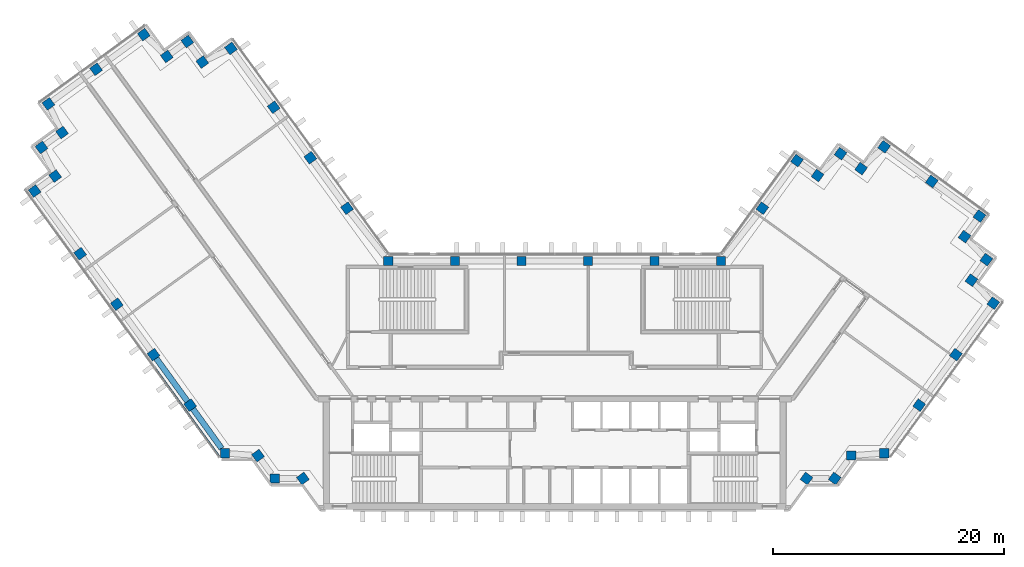
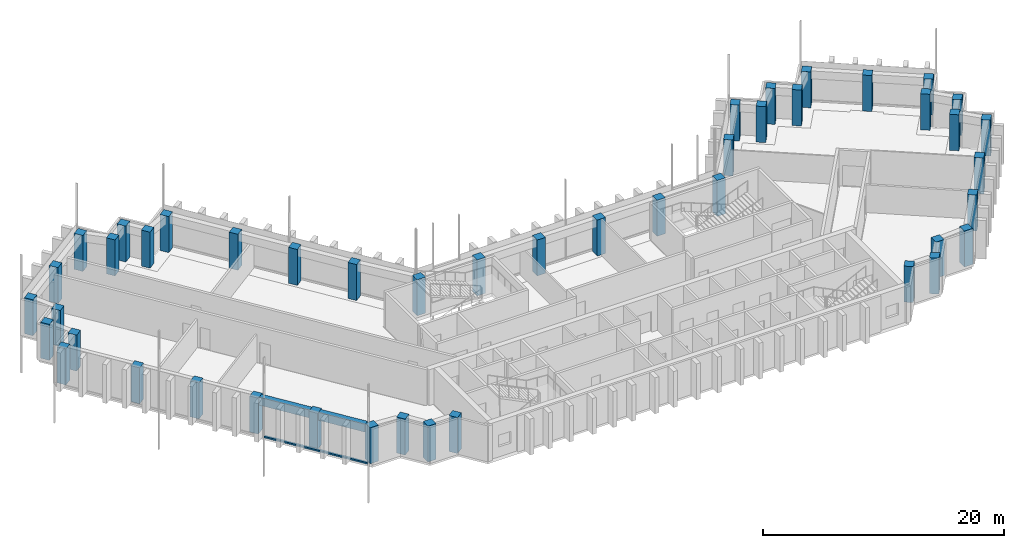
# One storey, part 1 of 12: 46 columns, 2 beams, 1 member, 1 element without a shape of its own.
"""IFC4 building model written with IfcOpenShell, lengths in metres."""

from ifc_helpers import new_model, si_unit, direction, frame, origin, origin_2d, place, context, subcontext, project, spatial, rectangle, extrude, material, material_profile, profile_set, type_object, element, aggregate, save


model = new_model("IFC4")

# Units and contexts
model_context = context("Model", 3, precision=1e-05, world=origin(), true_north=direction((0.0, 1.0)))
body_context = subcontext(model_context, "Body", "Model", "MODEL_VIEW")
ifc_project = project(units=[si_unit("LENGTHUNIT", "METRE"), si_unit("AREAUNIT", "SQUARE_METRE"), si_unit("VOLUMEUNIT", "CUBIC_METRE"), si_unit("PLANEANGLEUNIT", "RADIAN"), si_unit("MASSUNIT", "GRAM", prefix="KILO")], contexts=[model_context])

# Site, building, storey
site_placement = place(None, origin())
site = spatial("IfcSite", under=ifc_project, at=site_placement, CompositionType="ELEMENT")
building_placement = place(site_placement, origin())
building = spatial("IfcBuilding", under=site, at=building_placement, Name="Quipu Civic Tower", CompositionType="ELEMENT")
storey_placement = place(building_placement, frame((0.0, 0.0, 234.0)))
storey = spatial("IfcBuildingStorey", under=building, at=storey_placement, Name="L55", CompositionType="ELEMENT", Elevation=234.0)

# Columns
ifc_material_1 = material(Name="Concrete C50/60", Category="concrete")
ifc_material_profile_1 = material_profile(ifc_material_1, rectangle(XDim=0.800048828125, YDim=0.800048828125, at=origin_2d()), Name="RC800x800")
ifc_profile_set_1 = profile_set([ifc_material_profile_1], Name="Concrete C50/60")
column_type = type_object("IfcColumnType", Name="Perimeter column RC 800x800 C50/60", PredefinedType="COLUMN", material=ifc_profile_set_1)
for number, where, z_axis, x_axis, name in (
    (1, (-17.9736328125, 15.074951171875, 0.0), (0.0, 0.0, 1.0), (-0.587785252292, 0.809016994375, 0.0), "Column L55 W-IN-01"),
    (2, (-21.1474609375, 19.44384765625, 0.0), (0.0, 0.0, 1.0), (-0.587785252292, 0.809016994375, 0.0), "Column L55 W-IN-02"),
    (3, (-24.3212890625, 23.8125, 0.0), (0.0, 0.0, 1.0), (-0.587785252292, 0.809016994375, 0.0), "Column L55 W-IN-03"),
    (4, (-28.02001953125, 28.905029296875, 0.0), (0.0, 0.0, 1.0), (-0.809016994375, -0.587785252292, 0.0), "Column L55 T-Wi.0-W34"),
    (5, (-30.498779296875, 27.72265625, 0.0), (0.0, 0.0, 1.0), (-0.809016994375, -0.587785252292, 0.0), "Column L55 T-Wi.1-W34"),
    (6, (-31.794921875, 29.5, 0.0), (0.0, 0.0, 1.0), (-0.587785252292, 0.809016994375, 0.0), "Column L55 T-Wi.2-W34"),
    (7, (-33.573974609375, 28.20947265625, 0.0), (0.0, 0.0, 1.0), (-0.587785252292, 0.809016994375, 0.0), "Column L55 T-Wi.3-W34"),
    (8, (-35.56494140625, 30.10009765625, 0.0), (0.0, 0.0, 1.0), (-0.809016994375, -0.587785252292, 0.0), "Column L55 T-Wi.4-W34"),
    (9, (-39.690673828125, 27.10205078125, 0.0), (0.0, 0.0, 1.0), (-0.809016994375, -0.587785252292, 0.0), "Column L55 TIP-W-01-W34"),
    (10, (-43.81494140625, 24.10498046875, 0.0), (0.0, 0.0, 1.0), (-0.809016994375, -0.587785252292, 0.0), "Column L55 T-Wo.0-W34"),
    (11, (-42.635009765625, 21.626220703125, 0.0), (0.0, 0.0, 1.0), (-0.809016994375, -0.587785252292, 0.0), "Column L55 T-Wo.1-W34"),
    (12, (-44.4150390625, 20.3349609375, 0.0), (0.0, 0.0, 1.0), (0.587785252292, -0.809016994375, 0.0), "Column L55 T-Wo.2-W34"),
    (13, (-43.23095703125, 17.8544921875, 0.0), (0.0, 0.0, 1.0), (0.587785252292, -0.809016994375, 0.0), "Column L55 T-Wo.3-W34"),
    (14, (-45.010009765625, 16.56005859375, 0.0), (0.0, 0.0, 1.0), (0.587785252292, -0.809016994375, 0.0), "Column L55 T-Wo.4-W34"),
    (15, (-41.0703125, 11.137451171875, 0.0), (0.0, 0.0, 1.0), (0.587785252292, -0.809016994375, 0.0), "Column L55 W-OUT-04"),
    (16, (-37.896240234375, 6.768798828125, 0.0), (0.0, 0.0, 1.0), (0.587785252292, -0.809016994375, 0.0), "Column L55 W-OUT-03"),
    (17, (-34.722412109375, 2.39990234375, 0.0), (0.0, 0.0, 1.0), (0.587785252292, -0.809016994375, 0.0), "Column L55 W-OUT-02"),
    (18, (-31.54833984375, -1.96875, 0.0), (0.0, 0.0, 1.0), (0.587785252292, -0.809016994375, 0.0), "Column L55 W-OUT-01"),
    (19, (-28.52490234375, -6.1298828125, 0.0), (0.0, 0.0, 1.0), (1.0, 0.0, 0.0), "Column L55 J-Wo.0"),
    (20, (-25.67431640625, -6.3369140625, 0.0), (0.0, 0.0, 1.0), (0.587785252292, -0.809016994375, 0.0), "Column L55 J-Wo.1"),
    (21, (-24.235107421875, -8.31494140625, 0.0), (0.0, 0.0, 1.0), (1.0, 0.0, 0.0), "Column L55 J-Wo.2"),
    (22, (-21.791748046875, -8.31494140625, 0.0), (0.0, 0.0, 1.0), (0.587785252292, -0.809016994375, 0.0), "Column L55 J-Wo.3"),
    (23, (21.791748046875, -8.31494140625, 0.0), (0.0, 0.0, 1.0), (0.587785252292, 0.809016994375, 0.0), "Column L55 J-Eo.1"),
    (24, (24.235107421875, -8.31494140625, 0.0), (0.0, 0.0, 1.0), (0.587785252292, 0.809016994375, 0.0), "Column L55 J-Eo.2"),
    (25, (25.67431640625, -6.3369140625, 0.0), (0.0, 0.0, 1.0), (1.0, 0.0, 0.0), "Column L55 J-Eo.3"),
    (26, (28.52490234375, -6.1298828125, 0.0), (0.0, 0.0, 1.0), (1.0, 0.0, 0.0), "Column L55 J-Eo.4"),
    (27, (31.54833984375, -1.96875, 0.0), (0.0, 0.0, 1.0), (0.587785252292, 0.809016994375, 0.0), "Column L55 E-OUT-01"),
    (28, (34.722412109375, 2.39990234375, 0.0), (0.0, 0.0, 1.0), (0.587785252292, 0.809016994375, 0.0), "Column L55 E-OUT-02"),
    (29, (37.9599609375, 6.85498046875, 0.0), (0.0, 0.0, 1.0), (0.587785252292, 0.809016994375, 0.0), "Column L55 T-Eo.0-E22"),
    (30, (36.068115234375, 8.843994140625, 0.0), (0.0, 0.0, 1.0), (0.587785252292, 0.809016994375, 0.0), "Column L55 T-Eo.1-E22"),
    (31, (37.360107421875, 10.625, 0.0), (0.0, 0.0, 1.0), (0.587785252292, 0.809016994375, 0.0), "Column L55 T-Eo.2-E22"),
    (32, (35.470703125, 12.616455078125, 0.0), (0.0, 0.0, 1.0), (-0.809016994375, 0.587785252292, 0.0), "Column L55 T-Eo.3-E22"),
    (33, (36.764892578125, 14.39501953125, 0.0), (0.0, 0.0, 1.0), (-0.809016994375, 0.587785252292, 0.0), "Column L55 T-Eo.4-E22"),
    (34, (32.636962890625, 17.39306640625, 0.0), (0.0, 0.0, 1.0), (-0.809016994375, 0.587785252292, 0.0), "Column L55 TIP-E-01-E22"),
    (35, (28.510009765625, 20.389892578125, 0.0), (0.0, 0.0, 1.0), (-0.587785252292, -0.809016994375, 0.0), "Column L55 T-Ei.0-E22"),
    (36, (26.51904296875, 18.50048828125, 0.0), (0.0, 0.0, 1.0), (-0.809016994375, 0.587785252292, 0.0), "Column L55 T-Ei.1-E22"),
    (37, (24.739990234375, 19.794921875, 0.0), (0.0, 0.0, 1.0), (-0.587785252292, -0.809016994375, 0.0), "Column L55 T-Ei.2-E22"),
    (38, (22.749267578125, 17.904296875, 0.0), (0.0, 0.0, 1.0), (-0.587785252292, -0.809016994375, 0.0), "Column L55 T-Ei.3-E22"),
    (39, (20.969970703125, 19.195068359375, 0.0), (0.0, 0.0, 1.0), (-0.587785252292, -0.809016994375, 0.0), "Column L55 T-Ei.4-E22"),
    (40, (17.9736328125, 15.074951171875, 0.0), (0.0, 0.0, 1.0), (-0.587785252292, -0.809016994375, 0.0), "Column L55 E-IN-01"),
    (41, (14.395263671875, 10.5, 0.0), (0.0, 0.0, 1.0), (-1.0, 0.0, 0.0), "Column L55 J-Ei.0"),
    (42, (8.63720703125, 10.5, 0.0), (0.0, 0.0, 1.0), (-1.0, 0.0, 0.0), "Column L55 FRONT-01"),
    (43, (2.87890625, 10.5, 0.0), (0.0, 0.0, 1.0), (-1.0, 0.0, 0.0), "Column L55 FRONT-02"),
    (44, (-2.87890625, 10.5, 0.0), (0.0, 0.0, 1.0), (-1.0, 0.0, 0.0), "Column L55 FRONT-03"),
    (45, (-8.63720703125, 10.5, 0.0), (0.0, 0.0, 1.0), (-1.0, 0.0, 0.0), "Column L55 FRONT-04"),
    (46, (-14.395263671875, 10.5, 0.0), (0.0, 0.0, 1.0), (-1.0, 0.0, 0.0), "Column L55 J-Wi.0"),
):
    element("IfcColumn", number, at=place(storey_placement, frame(where, z_axis=z_axis, x_axis=x_axis)), inside=storey, type_object=column_type, Name=name, PredefinedType="COLUMN", context=body_context, shape_type="SweptSolid", body=[
        extrude(rectangle(XDim=0.800048828125, YDim=0.800048828125, at=origin_2d()), origin(), (0.0, 0.0, 1.0), 3.64990234375),
    ])

# Beams
ifc_material_2 = material(Name="Concrete C50/60", Category="concrete")
ifc_material_profile_2 = material_profile(ifc_material_2, rectangle(XDim=0.5, YDim=0.800048828125, at=origin_2d()), Name="RC500x800")
ifc_profile_set_2 = profile_set([ifc_material_profile_2], Name="Concrete C50/60")
beam_type = type_object("IfcBeamType", Name="Spandrel beam RC 500x800 C50/60", PredefinedType="SPANDREL", material=ifc_profile_set_2)
beam_1_placement = place(storey_placement, frame((-34.4873046875, 2.076416015625, 3.25), z_axis=(0.587796098864, -0.809009113768, 0.0), x_axis=(0.809009113768, 0.587796098864, 0.0)))
element("IfcBeam", 47, at=beam_1_placement, inside=storey, type_object=beam_type, Name="Spandrel beam L55 W-OUT-02 to W-OUT-01", PredefinedType="SPANDREL", context=body_context, shape_type="SweptSolid", body=[
    extrude(rectangle(XDim=0.5, YDim=0.800048828125, at=origin_2d()), origin(), (0.0, 0.0, 1.0), 4.60009765625),
])
beam_2_placement = place(storey_placement, frame((-31.313232421875, -2.292236328125, 3.25), z_axis=(0.58776850526, -0.809029161541, 0.0), x_axis=(0.809029161541, 0.58776850526, 0.0)))
element("IfcBeam", 48, at=beam_2_placement, inside=storey, type_object=beam_type, Name="Spandrel beam L55 W-OUT-01 to J-Wo.0", PredefinedType="SPANDREL", context=body_context, shape_type="SweptSolid", body=[
    extrude(rectangle(XDim=0.5, YDim=0.800048828125, at=origin_2d()), origin(), (0.0, 0.0, 1.0), 4.249267578125),
])

# Curtain wall, member
ifc_material_3 = material(Name="Insulated glass unit", Category="glass")
curtain_wall_type = type_object("IfcCurtainWallType", Name="Office curtain wall CW1", PredefinedType="NOTDEFINED", material=ifc_material_3)
curtain_wall_placement = place(storey_placement, origin())
curtain_wall = element("IfcCurtainWall", 49, at=curtain_wall_placement, inside=storey, type_object=curtain_wall_type, Name="Office curtain wall CW1 L54 run 11", PredefinedType="NOTDEFINED")
ifc_material_4 = material(Name="Anodised aluminium", Category="aluminium")
ifc_material_profile_3 = material_profile(ifc_material_4, rectangle(XDim=0.199951171875, YDim=0.159912109375, at=origin_2d()), Name="RECT 200x160")
ifc_profile_set_3 = profile_set([ifc_material_profile_3], Name="Anodised aluminium")
member_type = type_object("IfcMemberType", Name="Transom CW1", PredefinedType="USERDEFINED", material=ifc_profile_set_3)
member_placement = place(storey_placement, frame((-34.596923828125, 1.20654296875, 0.080078125), z_axis=(0.587783783239, -0.809018061703, 0.0), x_axis=(0.809018061703, 0.587783783239, 0.0)))
member = element("IfcMember", 50, at=member_placement, type_object=member_type, Name="CW1 transom 3.2", ObjectType="TRANSOM", PredefinedType="USERDEFINED", context=body_context, shape_type="SweptSolid", body=[
    extrude(rectangle(XDim=0.199951171875, YDim=0.159912109375, at=origin_2d()), origin(), (0.0, 0.0, 1.0), 9.431884765625),
])
aggregate(curtain_wall, [member])

save(model, "model.ifc")
